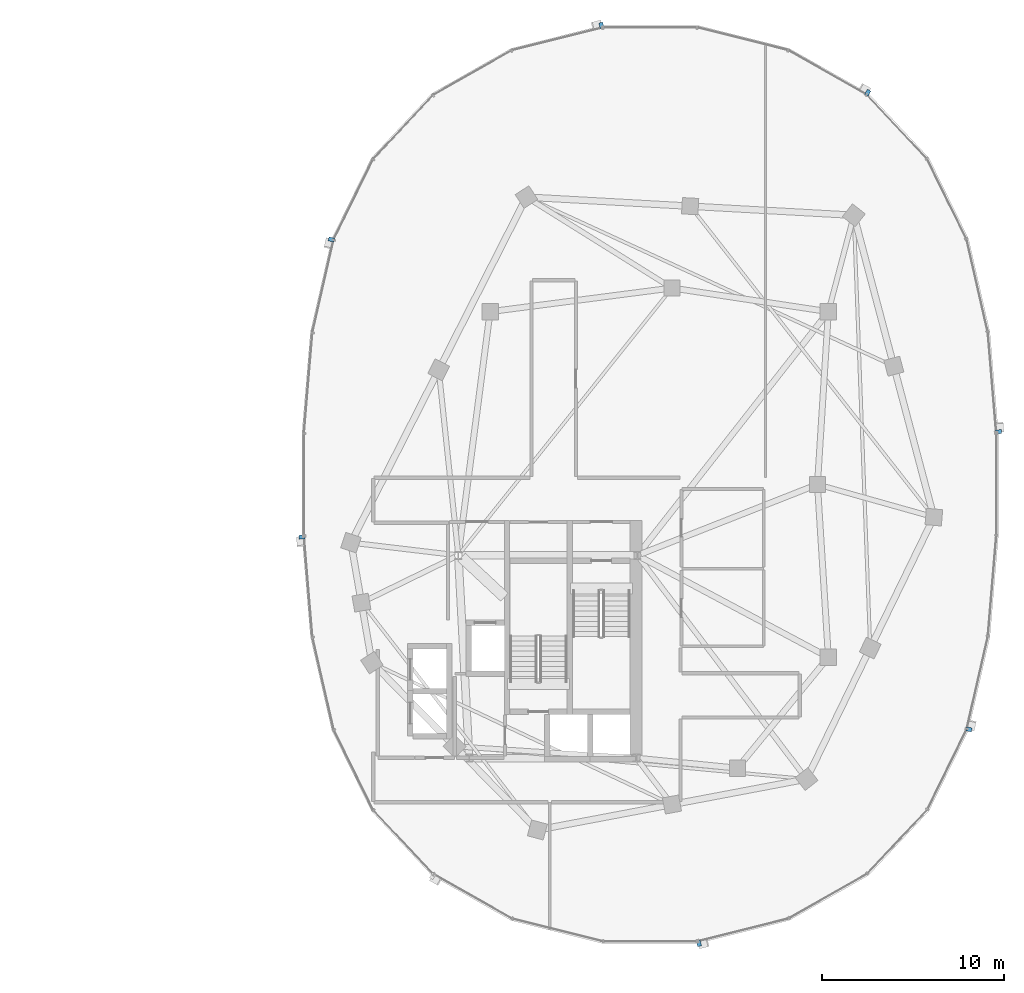
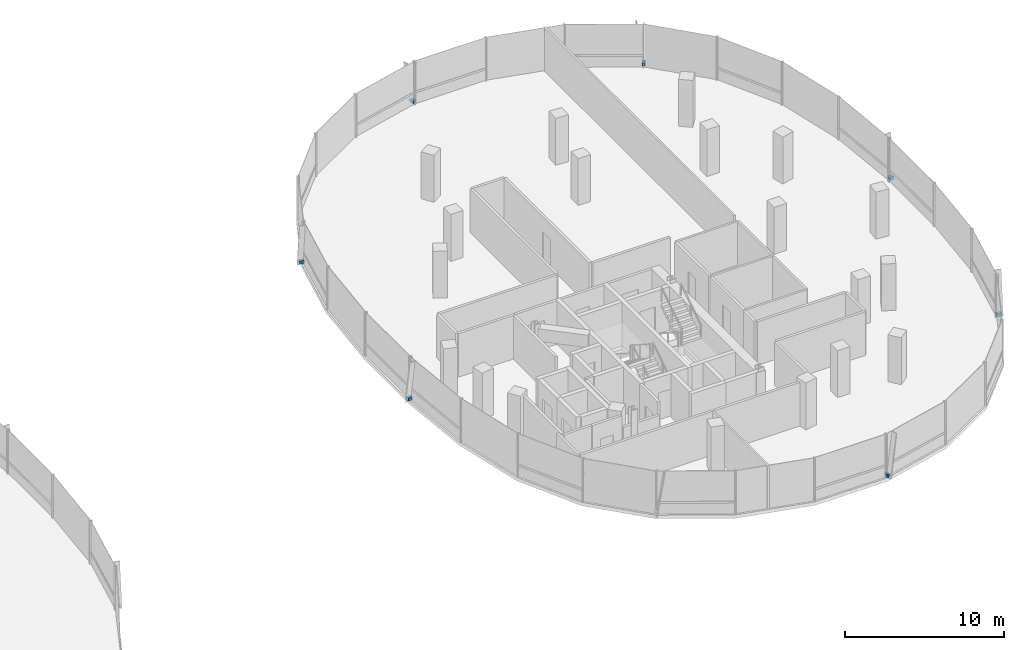
# One storey, part 19 of 24: 7 discrete accessories.
"""IFC4 building model written with IfcOpenShell, lengths in metres."""

import ifcopenshell
import ifcopenshell.guid

model = None  # the IFC model being written
_history = None  # IfcOwnerHistory: only IFC2X3 demands one
_inside = {}  # id of a spatial element -> (the spatial element, [elements in it])
_under = {}  # id of a project, library or spatial element -> (it, [spatial elements below it])
_declared = {}  # id of a project -> (the project, [libraries it declares])
_typed = {}  # id of a type object -> (the type object, [elements of that type])
_made_of = {}  # id of a material, layer set ... -> (it, [elements and type objects made of it])


def new_model(schema):
    """Start an empty IFC model of exactly this schema.

    Asked for "IFC4X3", IfcOpenShell would pick the latest addendum, in which some entities
    have other attributes; the version numbers below select the first issue.
    IFC2X3 requires an IfcOwnerHistory on every rooted entity: one is made here for all.
    """
    global model, _history
    if schema == "IFC4X3":
        model = ifcopenshell.file(schema_version=(4, 3, 0, 0))
    else:
        model = ifcopenshell.file(schema=schema)
    _inside.clear()
    _under.clear()
    _declared.clear()
    _typed.clear()
    _made_of.clear()
    _history = None
    if model.schema == "IFC2X3":
        org = make("IfcOrganization", Name="unknown")
        user = make(
            "IfcPersonAndOrganization",
            ThePerson=make("IfcPerson", FamilyName="unknown"),
            TheOrganization=org,
        )
        app = make(
            "IfcApplication",
            ApplicationDeveloper=org,
            Version="unknown",
            ApplicationFullName="unknown",
            ApplicationIdentifier="unknown",
        )
        _history = make(
            "IfcOwnerHistory",
            OwningUser=user,
            OwningApplication=app,
            ChangeAction="ADDED",
            CreationDate=0,
        )
    return model


def make(cls, **values):
    """One entity of the class cls with the attributes given. An attribute that is None is left unset."""
    return model.create_entity(
        cls, **{name: value for name, value in values.items() if value is not None}
    )


def rooted(cls, **values):
    """An entity with a GlobalId (a new one), such as an element, a storey or a relation."""
    return make(cls, GlobalId=ifcopenshell.guid.new(), OwnerHistory=_history, **values)


def si_unit(unit_type, name, prefix=None):
    """IfcSIUnit, for example si_unit("LENGTHUNIT", "METRE", prefix="MILLI")."""
    return make("IfcSIUnit", UnitType=unit_type, Prefix=prefix, Name=name)


def assignment(units):
    """IfcUnitAssignment: the units of a project."""
    return None if units is None else make("IfcUnitAssignment", Units=units)


def point(xyz):
    """IfcCartesianPoint."""
    return None if xyz is None else make("IfcCartesianPoint", Coordinates=xyz)


def direction(xyz):
    """IfcDirection."""
    return None if xyz is None else make("IfcDirection", DirectionRatios=xyz)


def frame(location, z_axis=None, x_axis=None):
    """IfcAxis2Placement3D, a coordinate frame: its origin and axes. An axis left out is left unset."""
    return make(
        "IfcAxis2Placement3D",
        Location=point(location),
        Axis=direction(z_axis),
        RefDirection=direction(x_axis),
    )


def frame_2d(location, x_axis=None):
    """IfcAxis2Placement2D, a coordinate frame in the plane: its origin and x axis."""
    return make(
        "IfcAxis2Placement2D", Location=point(location), RefDirection=direction(x_axis)
    )


def origin():
    """The frame at (0, 0, 0) with its axes left unset."""
    return frame((0.0, 0.0, 0.0))


def origin_2d():
    """The frame at (0, 0) in the plane with its x axis left unset."""
    return frame_2d((0.0, 0.0))


def place(relative_to, where):
    """IfcLocalPlacement: puts the frame where relative to a parent placement (None: the world)."""
    return make(
        "IfcLocalPlacement", PlacementRelTo=relative_to, RelativePlacement=where
    )


def context(
    kind, dimensions, precision=None, world=None, true_north=None, identifier=None
):
    """IfcGeometricRepresentationContext, for example the 3D "Model" context."""
    return make(
        "IfcGeometricRepresentationContext",
        ContextIdentifier=identifier,
        ContextType=kind,
        CoordinateSpaceDimension=dimensions,
        Precision=precision,
        WorldCoordinateSystem=world,
        TrueNorth=true_north,
    )


def subcontext(parent, identifier, kind, view, scale=None):
    """IfcGeometricRepresentationSubContext, for example "Body" below "Model"."""
    return make(
        "IfcGeometricRepresentationSubContext",
        ContextIdentifier=identifier,
        ContextType=kind,
        ParentContext=parent,
        TargetScale=scale,
        TargetView=view,
    )


def project(units=None, contexts=None):
    """IfcProject with its units and contexts."""
    return rooted(
        "IfcProject",
        Name="project",
        RepresentationContexts=contexts,
        UnitsInContext=assignment(units),
    )


def spatial(cls, under=None, at=None, **own):
    """A site, building, storey or space (cls), placed at a placement, below another one or the project."""
    s = rooted(cls, ObjectPlacement=at, **own)
    if under is not None:
        _under.setdefault(under.id(), (under, []))[1].append(s)
    return s


def profile(cls, at=None, kind="AREA", **sizes):
    """A parametric profile (cls). Its sizes go by their IFC names, for example OverallWidth=200.0."""
    return make(cls, ProfileType=kind, Position=at, **sizes)


def rectangle(**sizes):
    """IfcRectangleProfileDef."""
    return profile("IfcRectangleProfileDef", **sizes)


def extrude(swept, where, along, depth):
    """IfcExtrudedAreaSolid: the profile swept, set in the frame where, extruded along a direction by depth."""
    return make(
        "IfcExtrudedAreaSolid",
        SweptArea=swept,
        Position=where,
        ExtrudedDirection=direction(along),
        Depth=depth,
    )


def shape(context_of_items, identifier, shape_type, items):
    """IfcShapeRepresentation: the items that make up one representation, for example the "Body"."""
    return make(
        "IfcShapeRepresentation",
        ContextOfItems=context_of_items,
        RepresentationIdentifier=identifier,
        RepresentationType=shape_type,
        Items=items,
    )


def material(Name=None, Category=None):
    """IfcMaterial."""
    return make("IfcMaterial", Name=Name, Category=Category)


def made_of(thing, what):
    """Note that an element or type object is made of a material, layer set ...; save() writes the relation."""
    if what is not None:
        _made_of.setdefault(what.id(), (what, []))[1].append(thing)
    return thing


def type_object(cls, material=None, **own):
    """A type object (cls), such as IfcWallType, which elements share."""
    return made_of(rooted(cls, **own), material)


def element(
    cls,
    number,
    at=None,
    inside=None,
    cuts=None,
    type_object=None,
    material=None,
    context=None,
    identifier="Body",
    shape_type=None,
    held_by="IfcProductDefinitionShape",
    body=None,
    shapes=None,
    **own,
):
    """One element of the class cls, such as IfcWall. Its Tag is "e" and its number.

    at: its placement. inside: the storey or other place that contains it. cuts: it is an
    opening in that element (IfcRelVoidsElement). A single representation is given by context,
    identifier, shape_type and body (its items); several are given by shapes. held_by: the class
    of the entity that holds the representations. save() writes the other relations.
    """
    e = rooted(cls, Tag="e%d" % number, ObjectPlacement=at, **own)
    if body is not None:
        shapes = [shape(context, identifier, shape_type, body)]
    if shapes is not None:
        e.Representation = make(held_by, Representations=shapes)
    if inside is not None:
        _inside.setdefault(inside.id(), (inside, []))[1].append(e)
    if cuts is not None:
        rooted(
            "IfcRelVoidsElement", RelatingBuildingElement=cuts, RelatedOpeningElement=e
        )
    if type_object is not None:
        _typed.setdefault(type_object.id(), (type_object, []))[1].append(e)
    return made_of(e, material)


def aggregate(whole, parts):
    """IfcRelAggregates: a whole, such as a stair, and the parts it consists of."""
    return rooted("IfcRelAggregates", RelatingObject=whole, RelatedObjects=parts)


def save(model, path):
    """Write the relations noted so far, then the file.

    IfcRelAggregates (storeys below a building ...), IfcRelContainedInSpatialStructure (elements
    in a storey), IfcRelDefinesByType, IfcRelAssociatesMaterial and IfcRelDeclares: one each for
    every whole, place, type object, material and project.
    """
    for whole, parts in _under.values():
        aggregate(whole, parts)
    for where, things in _inside.values():
        rooted(
            "IfcRelContainedInSpatialStructure",
            RelatedElements=things,
            RelatingStructure=where,
        )
    for kind, things in _typed.values():
        rooted("IfcRelDefinesByType", RelatedObjects=things, RelatingType=kind)
    for what, things in _made_of.values():
        rooted("IfcRelAssociatesMaterial", RelatedObjects=things, RelatingMaterial=what)
    for by, libraries in _declared.values():
        rooted("IfcRelDeclares", RelatingContext=by, RelatedDefinitions=libraries)
    model.write(path)


model = new_model("IFC4")

# Units and contexts
model_context = context("Model", 3, precision=1e-05, world=origin(), true_north=direction((0.0, 1.0)))
body_context = subcontext(model_context, "Body", "Model", "MODEL_VIEW")
ifc_project = project(units=[si_unit("LENGTHUNIT", "METRE"), si_unit("AREAUNIT", "SQUARE_METRE"), si_unit("VOLUMEUNIT", "CUBIC_METRE"), si_unit("PLANEANGLEUNIT", "RADIAN"), si_unit("MASSUNIT", "GRAM", prefix="KILO"), si_unit("THERMODYNAMICTEMPERATUREUNIT", "KELVIN"), si_unit("POWERUNIT", "WATT")], contexts=[model_context])

# Site, building, storey
site_placement = place(None, origin())
site = spatial("IfcSite", under=ifc_project, at=site_placement, CompositionType="ELEMENT")
building_placement = place(site_placement, origin())
building = spatial("IfcBuilding", under=site, at=building_placement, Name="Cundina Bronze Exchange", CompositionType="ELEMENT")
storey_placement = place(building_placement, frame((0.0, 0.0, 227.800048828125)))
storey = spatial("IfcBuildingStorey", under=building, at=storey_placement, Name="L60", CompositionType="ELEMENT", Elevation=227.800048828125)

# Discrete accessories
ifc_material = material(Name="Anodised Bronze Aluminium 6063-T6", Category="aluminium")
discrete_accessory_type = type_object("IfcDiscreteAccessoryType", Name="ACC-BRK-FIN", PredefinedType="BRACKET", material=ifc_material)
for number, where, z_axis, x_axis, name in (
    (1, (51.15478515625, 2.893798828125, 0.10009765625), (0.0, 0.0, 1.0), (-0.083747411454, 0.996487015006, 0.0), "L60 Fin Support Bracket 1"),
    (2, (43.961181640625, 21.539794921875, 0.10009765625), (0.0, 0.0, 1.0), (-0.869572506985, 0.493805280547, 0.0), "L60 Fin Support Bracket 5"),
    (3, (29.321044921875, 25.23779296875, 0.10009765625), (0.0, 0.0, 1.0), (-0.969731542251, -0.244173577528, 0.0), "L60 Fin Support Bracket 1"),
    (4, (14.470458984375, 13.468505859375, 0.10009765625), (0.0, 0.0, 1.0), (-0.223284141459, -0.974753400698, 0.0), "L60 Fin Support Bracket 5"),
    (5, (12.84521484375, -2.893798828125, 0.10009765625), (0.0, 0.0, 1.0), (0.083747411454, -0.996487015006, 0.0), "L60 Fin Support Bracket 1"),
    (6, (34.678955078125, -25.23779296875, 0.10009765625), (0.0, 0.0, 1.0), (0.969731542251, 0.244173577528, 0.0), "L60 Fin Support Bracket 1"),
    (7, (49.529541015625, -13.468505859375, 0.10009765625), (0.0, 0.0, 1.0), (0.223284141459, 0.974753400698, 0.0), "L60 Fin Support Bracket 5"),
):
    element("IfcDiscreteAccessory", number, at=place(storey_placement, frame(where, z_axis=z_axis, x_axis=x_axis)), inside=storey, type_object=discrete_accessory_type, Name=name, PredefinedType="BRACKET", context=body_context, shape_type="SweptSolid", body=[
        extrude(rectangle(XDim=0.219970703125, YDim=0.320068359375, at=origin_2d()), origin(), (0.0, 0.0, 1.0), 0.239990234375),
    ])

save(model, "model.ifc")
